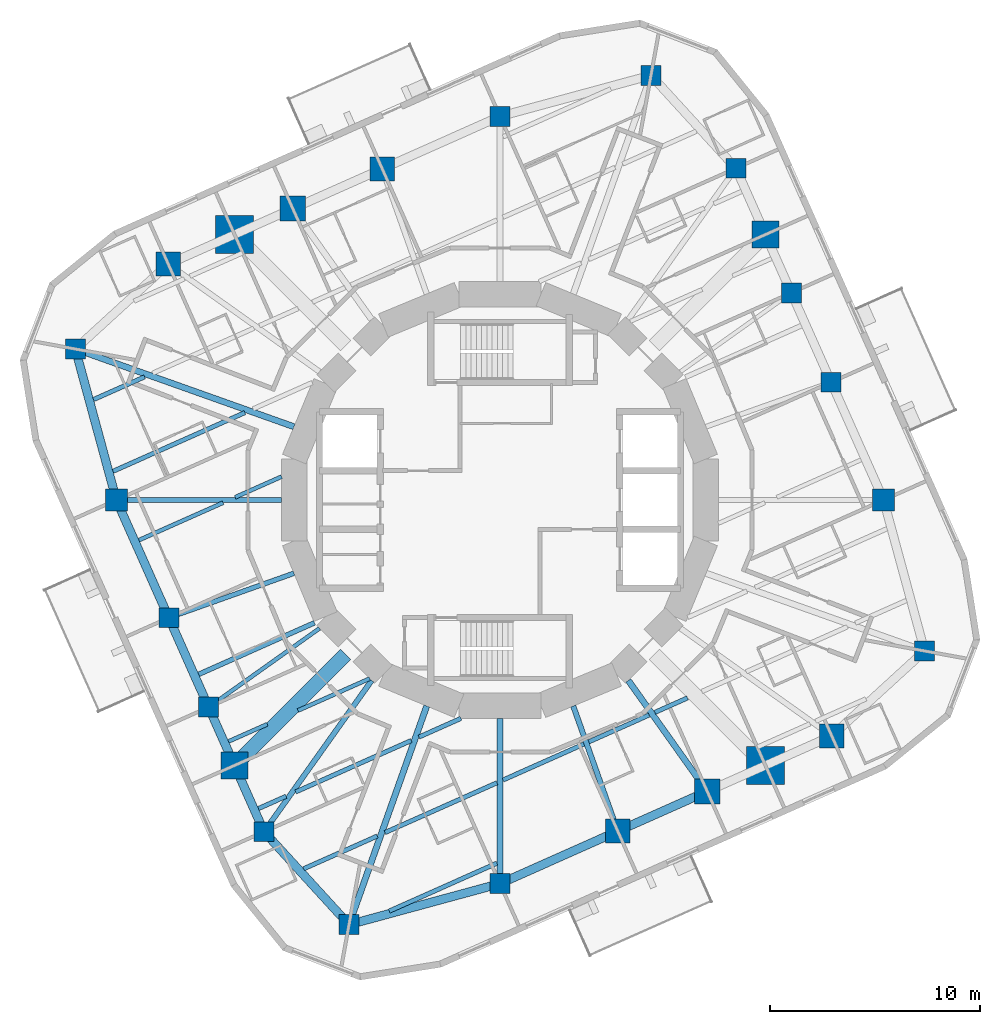
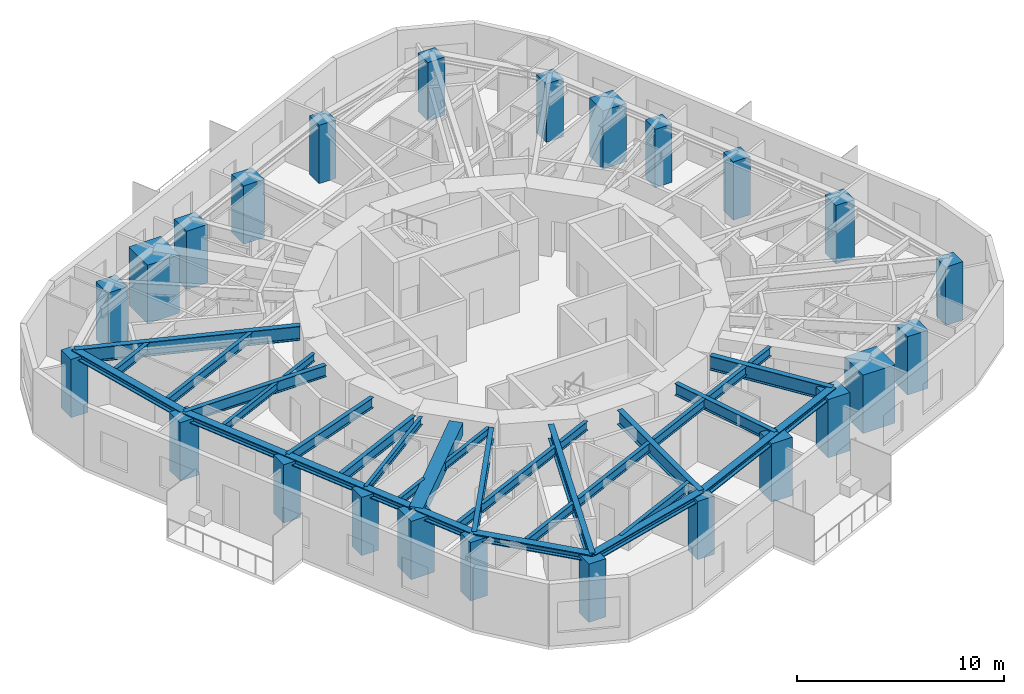
# One storey, part 1 of 12: 25 beams, 24 columns, 10 members.
"""IFC4 building model written with IfcOpenShell, lengths in metres."""

from ifc_helpers import new_model, si_unit, direction, frame, origin, origin_2d, place, context, subcontext, project, spatial, rectangle, hollow_rectangle, i_section, extrude, material, material_profile, profile_set, type_object, element, save


model = new_model("IFC4")

# Units and contexts
model_context = context("Model", 3, precision=1e-05, world=origin(), true_north=direction((0.0, 1.0)))
body_context = subcontext(model_context, "Body", "Model", "MODEL_VIEW")
ifc_project = project(units=[si_unit("LENGTHUNIT", "METRE"), si_unit("AREAUNIT", "SQUARE_METRE"), si_unit("VOLUMEUNIT", "CUBIC_METRE"), si_unit("PLANEANGLEUNIT", "RADIAN"), si_unit("MASSUNIT", "GRAM", prefix="KILO")], contexts=[model_context])

# Site, building, storey
site_placement = place(None, origin())
site = spatial("IfcSite", under=ifc_project, at=site_placement, CompositionType="ELEMENT")
building_placement = place(site_placement, origin())
building = spatial("IfcBuilding", under=site, at=building_placement, Name="Nakasero Lantern House", CompositionType="ELEMENT")
storey_placement = place(building_placement, frame((0.0, 0.0, 213.25)))
storey = spatial("IfcBuildingStorey", under=building, at=storey_placement, Name="L52", CompositionType="ELEMENT", Elevation=213.25)

# Columns
ifc_material_1 = material(Name="Concrete C45/55", Category="concrete")
ifc_material_profile_1 = material_profile(ifc_material_1, rectangle(XDim=1.300048828125, YDim=1.300048828125, at=origin_2d()), Name="RC 1300x1300")
ifc_profile_set_1 = profile_set([ifc_material_profile_1], Name="Concrete C45/55")
column_type_1 = type_object("IfcColumnType", Name="Mega column RC 1300x1300 C45/55", PredefinedType="COLUMN", material=ifc_profile_set_1)
for number, where, z_axis, x_axis, name in (
    (1, (12.64892578125, 12.64892578125, 0.0), (0.0, 0.0, 1.0), (1.0, 0.0, 0.0), "Column B5-C06 L52"),
    (2, (-12.64892578125, -12.64892578125, 0.0), (0.0, 0.0, 1.0), (1.0, 0.0, 0.0), "Column B5-C18 L52"),
):
    element("IfcColumn", number, at=place(storey_placement, frame(where, z_axis=z_axis, x_axis=x_axis)), inside=storey, type_object=column_type_1, Name=name, PredefinedType="COLUMN", context=body_context, shape_type="SweptSolid", body=[
        extrude(rectangle(XDim=1.300048828125, YDim=1.300048828125, at=origin_2d()), origin(), (0.0, 0.0, 1.0), 3.4404296875),
    ])
ifc_material_2 = material(Name="Concrete C45/55", Category="concrete")
ifc_material_profile_2 = material_profile(ifc_material_2, rectangle(XDim=1.800048828125, YDim=1.800048828125, at=origin_2d()), Name="RC 1800x1800")
ifc_profile_set_2 = profile_set([ifc_material_profile_2], Name="Concrete C45/55")
column_type_2 = type_object("IfcColumnType", Name="Mega column RC 1800x1800 C45/55", PredefinedType="COLUMN", material=ifc_profile_set_2)
for number, where, z_axis, x_axis, name in (
    (3, (-12.64892578125, 12.64892578125, 0.0), (0.0, 0.0, 1.0), (1.0, 0.0, 0.0), "Column B5-C12 L52"),
    (4, (12.64892578125, -12.64892578125, 0.0), (0.0, 0.0, 1.0), (1.0, 0.0, 0.0), "Column B5-C24 L52"),
):
    element("IfcColumn", number, at=place(storey_placement, frame(where, z_axis=z_axis, x_axis=x_axis)), inside=storey, type_object=column_type_2, Name=name, PredefinedType="COLUMN", context=body_context, shape_type="SweptSolid", body=[
        extrude(rectangle(XDim=1.800048828125, YDim=1.800048828125, at=origin_2d()), origin(), (0.0, 0.0, 1.0), 3.4404296875),
    ])
ifc_material_3 = material(Name="Concrete C45/55", Category="concrete")
ifc_material_profile_3 = material_profile(ifc_material_3, rectangle(XDim=1.050048828125, YDim=1.050048828125, at=origin_2d()), Name="RC 1050x1050")
ifc_profile_set_3 = profile_set([ifc_material_profile_3], Name="Concrete C45/55")
column_type_3 = type_object("IfcColumnType", Name="Ring column RC 1050x1050 C45/55", PredefinedType="COLUMN", material=ifc_profile_set_3)
for number, where, z_axis, x_axis, name in (
    (5, (18.280517578125, 0.0, 0.0), (0.0, 0.0, 1.0), (1.0, 0.0, 0.0), "Column B5-C03 L52"),
    (6, (-18.280517578125, 0.0, 0.0), (0.0, 0.0, 1.0), (1.0, 0.0, 0.0), "Column B5-C15 L52"),
):
    element("IfcColumn", number, at=place(storey_placement, frame(where, z_axis=z_axis, x_axis=x_axis)), inside=storey, type_object=column_type_3, Name=name, PredefinedType="COLUMN", context=body_context, shape_type="SweptSolid", body=[
        extrude(rectangle(XDim=1.050048828125, YDim=1.050048828125, at=origin_2d()), origin(), (0.0, 0.0, 1.0), 3.4404296875),
    ])
ifc_material_4 = material(Name="Concrete C45/55", Category="concrete")
ifc_material_profile_4 = material_profile(ifc_material_4, rectangle(XDim=1.14990234375, YDim=1.14990234375, at=origin_2d()), Name="RC 1150x1150")
ifc_profile_set_4 = profile_set([ifc_material_profile_4], Name="Concrete C45/55")
column_type_4 = type_object("IfcColumnType", Name="Ring column RC 1150x1150 C45/55", PredefinedType="COLUMN", material=ifc_profile_set_4)
for number, where, z_axis, x_axis, name in (
    (7, (15.808837890625, -11.241943359375, 0.0), (0.0, 0.0, 1.0), (1.0, 0.0, 0.0), "Column B5-C01 L52"),
    (8, (-5.611328125, 15.781982421875, 0.0), (0.0, 0.0, 1.0), (1.0, 0.0, 0.0), "Column B5-C10 L52"),
    (9, (-15.808837890625, 11.241943359375, 0.0), (0.0, 0.0, 1.0), (1.0, 0.0, 0.0), "Column B5-C13 L52"),
    (10, (5.611328125, -15.781982421875, 0.0), (0.0, 0.0, 1.0), (1.0, 0.0, 0.0), "Column B5-C22 L52"),
):
    element("IfcColumn", number, at=place(storey_placement, frame(where, z_axis=z_axis, x_axis=x_axis)), inside=storey, type_object=column_type_4, Name=name, PredefinedType="COLUMN", context=body_context, shape_type="SweptSolid", body=[
        extrude(rectangle(XDim=1.14990234375, YDim=1.14990234375, at=origin_2d()), origin(), (0.0, 0.0, 1.0), 3.4404296875),
    ])
ifc_material_5 = material(Name="Concrete C45/55", Category="concrete")
ifc_material_profile_5 = material_profile(ifc_material_5, rectangle(XDim=1.199951171875, YDim=1.199951171875, at=origin_2d()), Name="RC 1200x1200")
ifc_profile_set_5 = profile_set([ifc_material_profile_5], Name="Concrete C45/55")
column_type_5 = type_object("IfcColumnType", Name="Ring column RC 1200x1200 C45/55", PredefinedType="COLUMN", material=ifc_profile_set_5)
for number, where, z_axis, x_axis, name in (
    (11, (-9.87353515625, 13.884521484375, 0.0), (0.0, 0.0, 1.0), (1.0, 0.0, 0.0), "Column B5-C11 L52"),
    (12, (9.87353515625, -13.884521484375, 0.0), (0.0, 0.0, 1.0), (1.0, 0.0, 0.0), "Column B5-C23 L52"),
):
    element("IfcColumn", number, at=place(storey_placement, frame(where, z_axis=z_axis, x_axis=x_axis)), inside=storey, type_object=column_type_5, Name=name, PredefinedType="COLUMN", context=body_context, shape_type="SweptSolid", body=[
        extrude(rectangle(XDim=1.199951171875, YDim=1.199951171875, at=origin_2d()), origin(), (0.0, 0.0, 1.0), 3.4404296875),
    ])
ifc_material_6 = material(Name="Concrete C45/55", Category="concrete")
ifc_material_profile_6 = material_profile(ifc_material_6, rectangle(XDim=0.949951171875, YDim=0.949951171875, at=origin_2d()), Name="RC 950x950")
ifc_profile_set_6 = profile_set([ifc_material_profile_6], Name="Concrete C45/55")
column_type_6 = type_object("IfcColumnType", Name="Ring column RC 950x950 C45/55", PredefinedType="COLUMN", material=ifc_profile_set_6)
for number, where, z_axis, x_axis, name in (
    (13, (20.2353515625, -7.19482421875, 0.0), (0.0, 0.0, 1.0), (1.0, 0.0, 0.0), "Column B5-C02 L52"),
    (14, (15.781982421875, 5.611328125, 0.0), (0.0, 0.0, 1.0), (1.0, 0.0, 0.0), "Column B5-C04 L52"),
    (15, (13.884521484375, 9.87353515625, 0.0), (0.0, 0.0, 1.0), (1.0, 0.0, 0.0), "Column B5-C05 L52"),
    (16, (11.241943359375, 15.808837890625, 0.0), (0.0, 0.0, 1.0), (1.0, 0.0, 0.0), "Column B5-C07 L52"),
    (17, (7.19482421875, 20.2353515625, 0.0), (0.0, 0.0, 1.0), (1.0, 0.0, 0.0), "Column B5-C08 L52"),
    (18, (0.0, 18.280517578125, 0.0), (0.0, 0.0, 1.0), (1.0, 0.0, 0.0), "Column B5-C09 L52"),
    (19, (-20.2353515625, 7.19482421875, 0.0), (0.0, 0.0, 1.0), (1.0, 0.0, 0.0), "Column B5-C14 L52"),
    (20, (-15.781982421875, -5.611328125, 0.0), (0.0, 0.0, 1.0), (1.0, 0.0, 0.0), "Column B5-C16 L52"),
    (21, (-13.884521484375, -9.87353515625, 0.0), (0.0, 0.0, 1.0), (1.0, 0.0, 0.0), "Column B5-C17 L52"),
    (22, (-11.241943359375, -15.808837890625, 0.0), (0.0, 0.0, 1.0), (1.0, 0.0, 0.0), "Column B5-C19 L52"),
    (23, (-7.19482421875, -20.2353515625, 0.0), (0.0, 0.0, 1.0), (1.0, 0.0, 0.0), "Column B5-C20 L52"),
    (24, (0.0, -18.280517578125, 0.0), (0.0, 0.0, 1.0), (1.0, 0.0, 0.0), "Column B5-C21 L52"),
):
    element("IfcColumn", number, at=place(storey_placement, frame(where, z_axis=z_axis, x_axis=x_axis)), inside=storey, type_object=column_type_6, Name=name, PredefinedType="COLUMN", context=body_context, shape_type="SweptSolid", body=[
        extrude(rectangle(XDim=0.949951171875, YDim=0.949951171875, at=origin_2d()), origin(), (0.0, 0.0, 1.0), 3.4404296875),
    ])

# Members
ifc_material_7 = material(Name="Steel S355", Category="steel")
ifc_material_profile_7 = material_profile(ifc_material_7, i_section(OverallWidth=0.406982421875, OverallDepth=0.4189453125, WebThickness=0.030517578125, FlangeThickness=0.04931640625, FilletRadius=0.01513671875, at=origin_2d()), Name="UC 356x406x393")
ifc_profile_set_7 = profile_set([ifc_material_profile_7], Name="Steel S355")
member_type_1 = type_object("IfcMemberType", Name="Belt truss chord UC 356x406x393", PredefinedType="CHORD", material=ifc_profile_set_7)
member_1_placement = place(storey_placement, frame((-20.2353515625, 7.19482421875, 3.4404296875), z_axis=(0.26219461312, -0.965015017941, 0.0), x_axis=(0.965015017941, 0.26219461312, 0.0)))
element("IfcMember", 25, at=member_1_placement, inside=storey, type_object=member_type_1, Name="Belt truss bottom chord T5 B5-C14", PredefinedType="CHORD", context=body_context, shape_type="SweptSolid", body=[
    extrude(i_section(OverallWidth=0.406982421875, OverallDepth=0.4189453125, WebThickness=0.030517578125, FlangeThickness=0.04931640625, FilletRadius=0.01513671875, at=origin_2d()), origin(), (0.0, 0.0, 1.0), 7.45556640625),
])
member_2_placement = place(storey_placement, frame((-18.280517578125, 0.0, 3.4404296875), z_axis=(0.406765299215, -0.913532698569, 0.0), x_axis=(0.913532698569, 0.406765299215, 0.0)))
element("IfcMember", 26, at=member_2_placement, inside=storey, type_object=member_type_1, Name="Belt truss bottom chord T5 B5-C15", PredefinedType="CHORD", context=body_context, shape_type="SweptSolid", body=[
    extrude(i_section(OverallWidth=0.406982421875, OverallDepth=0.4189453125, WebThickness=0.030517578125, FlangeThickness=0.04931640625, FilletRadius=0.01513671875, at=origin_2d()), origin(), (0.0, 0.0, 1.0), 6.142333984375),
])
member_3_placement = place(storey_placement, frame((-15.781982421875, -5.611328125, 3.4404296875), z_axis=(0.406701600856, -0.913561058639, 0.0), x_axis=(0.913561058639, 0.406701600856, 0.0)))
element("IfcMember", 27, at=member_3_placement, inside=storey, type_object=member_type_1, Name="Belt truss bottom chord T5 B5-C16", PredefinedType="CHORD", context=body_context, shape_type="SweptSolid", body=[
    extrude(i_section(OverallWidth=0.406982421875, OverallDepth=0.4189453125, WebThickness=0.030517578125, FlangeThickness=0.04931640625, FilletRadius=0.01513671875, at=origin_2d()), origin(), (0.0, 0.0, 1.0), 4.66552734375),
])
member_4_placement = place(storey_placement, frame((-13.884521484375, -9.87353515625, 3.4404296875), z_axis=(0.40671251915, -0.913556197925, 0.0), x_axis=(0.913556197925, 0.40671251915, 0.0)))
element("IfcMember", 28, at=member_4_placement, inside=storey, type_object=member_type_1, Name="Belt truss bottom chord T5 B5-C17", PredefinedType="CHORD", context=body_context, shape_type="SweptSolid", body=[
    extrude(i_section(OverallWidth=0.406982421875, OverallDepth=0.4189453125, WebThickness=0.030517578125, FlangeThickness=0.04931640625, FilletRadius=0.01513671875, at=origin_2d()), origin(), (0.0, 0.0, 1.0), 3.0380859375),
])
member_5_placement = place(storey_placement, frame((-12.64892578125, -12.64892578125, 3.4404296875), z_axis=(0.406760506795, -0.913534832457, 0.0), x_axis=(0.913534832457, 0.406760506795, 0.0)))
element("IfcMember", 29, at=member_5_placement, inside=storey, type_object=member_type_1, Name="Belt truss bottom chord T5 B5-C18", PredefinedType="CHORD", context=body_context, shape_type="SweptSolid", body=[
    extrude(i_section(OverallWidth=0.406982421875, OverallDepth=0.4189453125, WebThickness=0.030517578125, FlangeThickness=0.04931640625, FilletRadius=0.01513671875, at=origin_2d()), origin(), (0.0, 0.0, 1.0), 3.458984375),
])
member_6_placement = place(storey_placement, frame((-11.241943359375, -15.808837890625, 3.4404296875), z_axis=(0.674771099966, -0.73802707447, 0.0), x_axis=(0.73802707447, 0.674771099966, 0.0)))
element("IfcMember", 30, at=member_6_placement, inside=storey, type_object=member_type_1, Name="Belt truss bottom chord T5 B5-C19", PredefinedType="CHORD", context=body_context, shape_type="SweptSolid", body=[
    extrude(i_section(OverallWidth=0.406982421875, OverallDepth=0.4189453125, WebThickness=0.030517578125, FlangeThickness=0.04931640625, FilletRadius=0.01513671875, at=origin_2d()), origin(), (0.0, 0.0, 1.0), 5.997802734375),
])
member_7_placement = place(storey_placement, frame((-7.19482421875, -20.2353515625, 3.4404296875), z_axis=(0.965015017941, 0.26219461312, 0.0), x_axis=(-0.26219461312, 0.965015017941, 0.0)))
element("IfcMember", 31, at=member_7_placement, inside=storey, type_object=member_type_1, Name="Belt truss bottom chord T5 B5-C20", PredefinedType="CHORD", context=body_context, shape_type="SweptSolid", body=[
    extrude(i_section(OverallWidth=0.406982421875, OverallDepth=0.4189453125, WebThickness=0.030517578125, FlangeThickness=0.04931640625, FilletRadius=0.01513671875, at=origin_2d()), origin(), (0.0, 0.0, 1.0), 7.45556640625),
])
member_8_placement = place(storey_placement, frame((0.0, -18.280517578125, 3.4404296875), z_axis=(0.913532698569, 0.406765299215, 0.0), x_axis=(-0.406765299215, 0.913532698569, 0.0)))
element("IfcMember", 32, at=member_8_placement, inside=storey, type_object=member_type_1, Name="Belt truss bottom chord T5 B5-C21", PredefinedType="CHORD", context=body_context, shape_type="SweptSolid", body=[
    extrude(i_section(OverallWidth=0.406982421875, OverallDepth=0.4189453125, WebThickness=0.030517578125, FlangeThickness=0.04931640625, FilletRadius=0.01513671875, at=origin_2d()), origin(), (0.0, 0.0, 1.0), 6.142333984375),
])
member_9_placement = place(storey_placement, frame((5.611328125, -15.781982421875, 3.4404296875), z_axis=(0.913561058639, 0.406701600856, 0.0), x_axis=(-0.406701600856, 0.913561058639, 0.0)))
element("IfcMember", 33, at=member_9_placement, inside=storey, type_object=member_type_1, Name="Belt truss bottom chord T5 B5-C22", PredefinedType="CHORD", context=body_context, shape_type="SweptSolid", body=[
    extrude(i_section(OverallWidth=0.406982421875, OverallDepth=0.4189453125, WebThickness=0.030517578125, FlangeThickness=0.04931640625, FilletRadius=0.01513671875, at=origin_2d()), origin(), (0.0, 0.0, 1.0), 4.66552734375),
])

# Beams
ifc_material_8 = material(Name="Steel S355", Category="steel")
ifc_material_profile_8 = material_profile(ifc_material_8, i_section(OverallWidth=0.19140625, OverallDepth=0.4599609375, WebThickness=0.010009765625, FlangeThickness=0.01611328125, FilletRadius=0.01025390625, at=origin_2d()), Name="UB 457x191x82")
ifc_profile_set_8 = profile_set([ifc_material_profile_8], Name="Steel S355")
beam_type_1 = type_object("IfcBeamType", Name="Infill beam UB 457x191x82", PredefinedType="JOIST", material=ifc_profile_set_8)
beam_1_placement = place(storey_placement, frame((-12.934814453125, -11.505859375, 3.419921875), z_axis=(0.913527183156, 0.406777685764, 0.0), x_axis=(-0.406777685764, 0.913527183156, 0.0)))
element("IfcBeam", 34, at=beam_1_placement, inside=storey, type_object=beam_type_1, Name="Infill beam L53 06.1", PredefinedType="JOIST", context=body_context, shape_type="SweptSolid", body=[
    extrude(i_section(OverallWidth=0.19140625, OverallDepth=0.4599609375, WebThickness=0.010009765625, FlangeThickness=0.01611328125, FilletRadius=0.01025390625, at=origin_2d()), origin(), (0.0, 0.0, 1.0), 2.01953125),
])
beam_2_placement = place(storey_placement, frame((-9.628173828125, -10.033447265625, 3.419921875), z_axis=(0.913550513402, 0.406725287464, 0.0), x_axis=(-0.406725287464, 0.913550513402, 0.0)))
element("IfcBeam", 35, at=beam_2_placement, inside=storey, type_object=beam_type_1, Name="Infill beam L53 06.2", PredefinedType="JOIST", context=body_context, shape_type="SweptSolid", body=[
    extrude(i_section(OverallWidth=0.19140625, OverallDepth=0.4599609375, WebThickness=0.010009765625, FlangeThickness=0.01611328125, FilletRadius=0.01025390625, at=origin_2d()), origin(), (0.0, 0.0, 1.0), 3.743896484375),
])
beam_3_placement = place(storey_placement, frame((-17.20556640625, -1.91357421875, 3.419921875), z_axis=(0.913550081481, 0.406726257606, 0.0), x_axis=(-0.406726257606, 0.913550081481, 0.0)))
element("IfcBeam", 36, at=beam_3_placement, inside=storey, type_object=beam_type_1, Name="Infill beam L53 09.1", PredefinedType="JOIST", context=body_context, shape_type="SweptSolid", body=[
    extrude(i_section(OverallWidth=0.19140625, OverallDepth=0.4599609375, WebThickness=0.010009765625, FlangeThickness=0.01611328125, FilletRadius=0.01025390625, at=origin_2d()), origin(), (0.0, 0.0, 1.0), 4.392578125),
])
beam_4_placement = place(storey_placement, frame((-12.622802734375, 0.126953125, 3.419921875), z_axis=(0.913549746855, 0.40672700921, 0.0), x_axis=(-0.40672700921, 0.913549746855, 0.0)))
element("IfcBeam", 37, at=beam_4_placement, inside=storey, type_object=beam_type_1, Name="Infill beam L53 09.2", PredefinedType="JOIST", context=body_context, shape_type="SweptSolid", body=[
    extrude(i_section(OverallWidth=0.19140625, OverallDepth=0.4599609375, WebThickness=0.010009765625, FlangeThickness=0.01611328125, FilletRadius=0.01025390625, at=origin_2d()), origin(), (0.0, 0.0, 1.0), 2.42431640625),
])
ifc_material_9 = material(Name="Steel S355", Category="steel")
ifc_material_profile_9 = material_profile(ifc_material_9, i_section(OverallWidth=0.2099609375, OverallDepth=0.53662109375, WebThickness=0.0107421875, FlangeThickness=0.017333984375, FilletRadius=0.0126953125, at=origin_2d()), Name="UB 533x210x101")
ifc_profile_set_9 = profile_set([ifc_material_profile_9], Name="Steel S355")
beam_type_2 = type_object("IfcBeamType", Name="Infill beam UB 533x210x101", PredefinedType="JOIST", material=ifc_profile_set_9)
beam_5_placement = place(storey_placement, frame((-5.278564453125, -19.5908203125, 3.381591796875), z_axis=(0.913538957038, 0.406751243358, 0.0), x_axis=(-0.406751243358, 0.913538957038, 0.0)))
element("IfcBeam", 38, at=beam_5_placement, inside=storey, type_object=beam_type_2, Name="Infill beam L53 03.1", PredefinedType="JOIST", context=body_context, shape_type="SweptSolid", body=[
    extrude(i_section(OverallWidth=0.2099609375, OverallDepth=0.53662109375, WebThickness=0.0107421875, FlangeThickness=0.017333984375, FilletRadius=0.0126953125, at=origin_2d()), origin(), (0.0, 0.0, 1.0), 5.6181640625),
])
beam_6_placement = place(storey_placement, frame((-9.352783203125, -17.573486328125, 3.381591796875), z_axis=(0.913543614975, 0.406740781751, 0.0), x_axis=(-0.406740781751, 0.913543614975, 0.0)))
element("IfcBeam", 39, at=beam_6_placement, inside=storey, type_object=beam_type_2, Name="Infill beam L53 04.1", PredefinedType="JOIST", context=body_context, shape_type="SweptSolid", body=[
    extrude(i_section(OverallWidth=0.2099609375, OverallDepth=0.53662109375, WebThickness=0.0107421875, FlangeThickness=0.017333984375, FilletRadius=0.0126953125, at=origin_2d()), origin(), (0.0, 0.0, 1.0), 3.83544921875),
])
beam_7_placement = place(storey_placement, frame((-5.47998046875, -15.84912109375, 3.381591796875), z_axis=(0.913544076166, 0.406739745909, 0.0), x_axis=(-0.406739745909, 0.913544076166, 0.0)))
element("IfcBeam", 40, at=beam_7_placement, inside=storey, type_object=beam_type_2, Name="Infill beam L53 04.2", PredefinedType="JOIST", context=body_context, shape_type="SweptSolid", body=[
    extrude(i_section(OverallWidth=0.2099609375, OverallDepth=0.53662109375, WebThickness=0.0107421875, FlangeThickness=0.017333984375, FilletRadius=0.0126953125, at=origin_2d()), origin(), (0.0, 0.0, 1.0), 5.838623046875),
])
beam_8_placement = place(storey_placement, frame((0.146240234375, -13.34423828125, 3.381591796875), z_axis=(0.913548767635, 0.406729208631, 0.0), x_axis=(-0.406729208631, 0.913548767635, 0.0)))
element("IfcBeam", 41, at=beam_8_placement, inside=storey, type_object=beam_type_2, Name="Infill beam L53 04.3", PredefinedType="JOIST", context=body_context, shape_type="SweptSolid", body=[
    extrude(i_section(OverallWidth=0.2099609375, OverallDepth=0.53662109375, WebThickness=0.0107421875, FlangeThickness=0.017333984375, FilletRadius=0.0126953125, at=origin_2d()), origin(), (0.0, 0.0, 1.0), 4.21728515625),
])
beam_9_placement = place(storey_placement, frame((4.2333984375, -11.5244140625, 3.381591796875), z_axis=(0.913545628997, 0.406736258207, 0.0), x_axis=(-0.406736258207, 0.913545628997, 0.0)))
element("IfcBeam", 42, at=beam_9_placement, inside=storey, type_object=beam_type_2, Name="Infill beam L53 04.4", PredefinedType="JOIST", context=body_context, shape_type="SweptSolid", body=[
    extrude(i_section(OverallWidth=0.2099609375, OverallDepth=0.53662109375, WebThickness=0.0107421875, FlangeThickness=0.017333984375, FilletRadius=0.0126953125, at=origin_2d()), origin(), (0.0, 0.0, 1.0), 3.144775390625),
])
beam_10_placement = place(storey_placement, frame((7.378662109375, -10.1240234375, 3.381591796875), z_axis=(0.913581037191, 0.406656720694, 0.0), x_axis=(-0.406656720694, 0.913581037191, 0.0)))
element("IfcBeam", 43, at=beam_10_placement, inside=storey, type_object=beam_type_2, Name="Infill beam L53 04.5", PredefinedType="JOIST", context=body_context, shape_type="SweptSolid", body=[
    extrude(i_section(OverallWidth=0.2099609375, OverallDepth=0.53662109375, WebThickness=0.0107421875, FlangeThickness=0.017333984375, FilletRadius=0.0126953125, at=origin_2d()), origin(), (0.0, 0.0, 1.0), 1.704345703125),
])
beam_11_placement = place(storey_placement, frame((-11.511474609375, -14.703369140625, 3.381591796875), z_axis=(0.913546008639, 0.406735405515, 0.0), x_axis=(-0.406735405515, 0.913546008639, 0.0)))
element("IfcBeam", 44, at=beam_11_placement, inside=storey, type_object=beam_type_2, Name="Infill beam L53 05.1", PredefinedType="JOIST", context=body_context, shape_type="SweptSolid", body=[
    extrude(i_section(OverallWidth=0.2099609375, OverallDepth=0.53662109375, WebThickness=0.0107421875, FlangeThickness=0.017333984375, FilletRadius=0.0126953125, at=origin_2d()), origin(), (0.0, 0.0, 1.0), 1.44189453125),
])
beam_12_placement = place(storey_placement, frame((-9.73876953125, -13.9140625, 3.381591796875), z_axis=(0.913549212853, 0.40672820863, 0.0), x_axis=(-0.40672820863, 0.913549212853, 0.0)))
element("IfcBeam", 45, at=beam_12_placement, inside=storey, type_object=beam_type_2, Name="Infill beam L53 05.2", PredefinedType="JOIST", context=body_context, shape_type="SweptSolid", body=[
    extrude(i_section(OverallWidth=0.2099609375, OverallDepth=0.53662109375, WebThickness=0.0107421875, FlangeThickness=0.017333984375, FilletRadius=0.0126953125, at=origin_2d()), origin(), (0.0, 0.0, 1.0), 6.029541015625),
])
beam_13_placement = place(storey_placement, frame((-3.861572265625, -11.29736328125, 3.381591796875), z_axis=(0.913558164673, 0.406708101418, 0.0), x_axis=(-0.406708101418, 0.913558164673, 0.0)))
element("IfcBeam", 46, at=beam_13_placement, inside=storey, type_object=beam_type_2, Name="Infill beam L53 05.3", PredefinedType="JOIST", context=body_context, shape_type="SweptSolid", body=[
    extrude(i_section(OverallWidth=0.2099609375, OverallDepth=0.53662109375, WebThickness=0.0107421875, FlangeThickness=0.017333984375, FilletRadius=0.0126953125, at=origin_2d()), origin(), (0.0, 0.0, 1.0), 2.186767578125),
])
beam_14_placement = place(storey_placement, frame((-18.441162109375, 1.367431640625, 3.381591796875), z_axis=(0.91354069408, 0.406747342044, 0.0), x_axis=(-0.406747342044, 0.91354069408, 0.0)))
element("IfcBeam", 47, at=beam_14_placement, inside=storey, type_object=beam_type_2, Name="Infill beam L53 10.1", PredefinedType="JOIST", context=body_context, shape_type="SweptSolid", body=[
    extrude(i_section(OverallWidth=0.2099609375, OverallDepth=0.53662109375, WebThickness=0.0107421875, FlangeThickness=0.017333984375, FilletRadius=0.0126953125, at=origin_2d()), origin(), (0.0, 0.0, 1.0), 6.881591796875),
])
beam_15_placement = place(storey_placement, frame((-19.369873046875, 4.785400390625, 3.381591796875), z_axis=(0.913550299254, 0.406725768464, 0.0), x_axis=(-0.406725768464, 0.913550299254, 0.0)))
element("IfcBeam", 48, at=beam_15_placement, inside=storey, type_object=beam_type_2, Name="Infill beam L53 11.1", PredefinedType="JOIST", context=body_context, shape_type="SweptSolid", body=[
    extrude(i_section(OverallWidth=0.2099609375, OverallDepth=0.53662109375, WebThickness=0.0107421875, FlangeThickness=0.017333984375, FilletRadius=0.0126953125, at=origin_2d()), origin(), (0.0, 0.0, 1.0), 2.660888671875),
])
ifc_material_10 = material(Name="Steel S355", Category="steel")
ifc_material_profile_10 = material_profile(ifc_material_10, i_section(OverallWidth=0.22900390625, OverallDepth=0.6123046875, WebThickness=0.011962890625, FlangeThickness=0.01953125, FilletRadius=0.0126953125, at=origin_2d()), Name="UB 610x229x125")
ifc_profile_set_10 = profile_set([ifc_material_profile_10], Name="Steel S355")
beam_type_3 = type_object("IfcBeamType", Name="Infill beam UB 610x229x125", PredefinedType="JOIST", material=ifc_profile_set_10)
beam_16_placement = place(storey_placement, frame((-14.3583984375, -8.308349609375, 3.343994140625), z_axis=(0.913549630953, 0.406727269538, 0.0), x_axis=(-0.406727269538, 0.913549630953, 0.0)))
element("IfcBeam", 49, at=beam_16_placement, inside=storey, type_object=beam_type_3, Name="Infill beam L53 07.1", PredefinedType="JOIST", context=body_context, shape_type="SweptSolid", body=[
    extrude(i_section(OverallWidth=0.22900390625, OverallDepth=0.6123046875, WebThickness=0.011962890625, FlangeThickness=0.01953125, FilletRadius=0.0126953125, at=origin_2d()), origin(), (0.0, 0.0, 1.0), 6.0390625),
])

# Member
ifc_material_11 = material(Name="Steel S355", Category="steel")
ifc_material_profile_11 = material_profile(ifc_material_11, hollow_rectangle(XDim=0.699951171875, YDim=0.699951171875, WallThickness=0.050048828125, at=origin_2d()), Name="BOX 700x700x50")
ifc_profile_set_11 = profile_set([ifc_material_profile_11], Name="Steel S355")
member_type_2 = type_object("IfcMemberType", Name="Outrigger chord BOX 700x700x50", PredefinedType="CHORD", material=ifc_profile_set_11)
member_10_placement = place(storey_placement, frame((-12.64892578125, -12.64892578125, 3.300048828125), z_axis=(0.707106781187, 0.707106781187, 0.0), x_axis=(-0.707106781187, 0.707106781187, 0.0)))
element("IfcMember", 50, at=member_10_placement, inside=storey, type_object=member_type_2, Name="Outrigger chord L53 B5-C18", PredefinedType="CHORD", context=body_context, shape_type="SweptSolid", body=[
    extrude(hollow_rectangle(XDim=0.699951171875, YDim=0.699951171875, WallThickness=0.050048828125, at=origin_2d()), origin(), (0.0, 0.0, 1.0), 7.48046875),
])

# Beams
ifc_material_12 = material(Name="Steel S355", Category="steel")
ifc_material_profile_12 = material_profile(ifc_material_12, i_section(OverallWidth=0.18994140625, OverallDepth=0.453369140625, WebThickness=0.008544921875, FlangeThickness=0.0126953125, FilletRadius=0.01025390625, at=origin_2d()), Name="UB 457x191x67")
ifc_profile_set_12 = profile_set([ifc_material_profile_12], Name="Steel S355")
beam_type_4 = type_object("IfcBeamType", Name="Primary beam UB 457x191x67, span 6 to 9 m", PredefinedType="BEAM", material=ifc_profile_set_12)
beam_17_placement = place(storey_placement, frame((-13.884521484375, -9.87353515625, 3.42333984375), z_axis=(0.8149430702, 0.57954101868, 0.0), x_axis=(-0.57954101868, 0.8149430702, 0.0)))
element("IfcBeam", 51, at=beam_17_placement, inside=storey, type_object=beam_type_4, Name="Primary beam L53 B5-C17", PredefinedType="BEAM", context=body_context, shape_type="SweptSolid", body=[
    extrude(i_section(OverallWidth=0.18994140625, OverallDepth=0.453369140625, WebThickness=0.008544921875, FlangeThickness=0.0126953125, FilletRadius=0.01025390625, at=origin_2d()), origin(), (0.0, 0.0, 1.0), 6.48193359375),
])
ifc_material_13 = material(Name="Steel S355", Category="steel")
ifc_material_profile_13 = material_profile(ifc_material_13, i_section(OverallWidth=0.22900390625, OverallDepth=0.6123046875, WebThickness=0.011962890625, FlangeThickness=0.01953125, FilletRadius=0.0126953125, at=origin_2d()), Name="UB 610x229x125")
ifc_profile_set_13 = profile_set([ifc_material_profile_13], Name="Steel S355")
beam_type_5 = type_object("IfcBeamType", Name="Primary beam UB 610x229x125, span 6 to 9 m", PredefinedType="BEAM", material=ifc_profile_set_13)
beam_18_placement = place(storey_placement, frame((-15.781982421875, -5.611328125, 3.343994140625), z_axis=(0.942211442913, 0.335018800731, 0.0), x_axis=(-0.335018800731, 0.942211442913, 0.0)))
element("IfcBeam", 52, at=beam_18_placement, inside=storey, type_object=beam_type_5, Name="Primary beam L53 B5-C16", PredefinedType="BEAM", context=body_context, shape_type="SweptSolid", body=[
    extrude(i_section(OverallWidth=0.22900390625, OverallDepth=0.6123046875, WebThickness=0.011962890625, FlangeThickness=0.01953125, FilletRadius=0.0126953125, at=origin_2d()), origin(), (0.0, 0.0, 1.0), 6.328369140625),
])
ifc_material_14 = material(Name="Steel S355", Category="steel")
ifc_material_profile_14 = material_profile(ifc_material_14, i_section(OverallWidth=0.253662109375, OverallDepth=0.68359375, WebThickness=0.012451171875, FlangeThickness=0.01904296875, FilletRadius=0.01513671875, at=origin_2d()), Name="UB 686x254x140")
ifc_profile_set_14 = profile_set([ifc_material_profile_14], Name="Steel S355")
beam_type_6 = type_object("IfcBeamType", Name="Primary beam UB 686x254x140, span 6 to 9 m", PredefinedType="BEAM", material=ifc_profile_set_14)
beam_19_placement = place(storey_placement, frame((-18.280517578125, 0.0, 3.308349609375), z_axis=(1.0, 0.0, 0.0), x_axis=(0.0, 1.0, 0.0)))
element("IfcBeam", 53, at=beam_19_placement, inside=storey, type_object=beam_type_6, Name="Primary beam L53 B5-C15", PredefinedType="BEAM", context=body_context, shape_type="SweptSolid", body=[
    extrude(i_section(OverallWidth=0.253662109375, OverallDepth=0.68359375, WebThickness=0.012451171875, FlangeThickness=0.01904296875, FilletRadius=0.01513671875, at=origin_2d()), origin(), (0.0, 0.0, 1.0), 7.87255859375),
])
beam_20_placement = place(storey_placement, frame((-11.241943359375, -15.808837890625, 3.308349609375), z_axis=(0.579536824926, 0.814946052543, 0.0), x_axis=(-0.814946052543, 0.579536824926, 0.0)))
element("IfcBeam", 54, at=beam_20_placement, inside=storey, type_object=beam_type_6, Name="Primary beam L53 B5-C19", PredefinedType="BEAM", context=body_context, shape_type="SweptSolid", body=[
    extrude(i_section(OverallWidth=0.253662109375, OverallDepth=0.68359375, WebThickness=0.012451171875, FlangeThickness=0.01904296875, FilletRadius=0.01513671875, at=origin_2d()), origin(), (0.0, 0.0, 1.0), 8.84326171875),
])
ifc_material_15 = material(Name="Steel S355", Category="steel")
ifc_material_profile_15 = material_profile(ifc_material_15, i_section(OverallWidth=0.255859375, OverallDepth=0.69287109375, WebThickness=0.014404296875, FlangeThickness=0.023681640625, FilletRadius=0.01513671875, at=origin_2d()), Name="UB 686x254x170")
ifc_profile_set_15 = profile_set([ifc_material_profile_15], Name="Steel S355")
beam_type_7 = type_object("IfcBeamType", Name="Primary beam UB 686x254x170, span 6 to 9 m", PredefinedType="BEAM", material=ifc_profile_set_15)
beam_21_placement = place(storey_placement, frame((5.611328125, -15.781982421875, 3.303466796875), z_axis=(-0.335018800731, 0.942211442913, 0.0), x_axis=(-0.942211442913, -0.335018800731, 0.0)))
element("IfcBeam", 55, at=beam_21_placement, inside=storey, type_object=beam_type_7, Name="Primary beam L53 B5-C22", PredefinedType="BEAM", context=body_context, shape_type="SweptSolid", body=[
    extrude(i_section(OverallWidth=0.255859375, OverallDepth=0.69287109375, WebThickness=0.014404296875, FlangeThickness=0.023681640625, FilletRadius=0.01513671875, at=origin_2d()), origin(), (0.0, 0.0, 1.0), 6.328369140625),
])
ifc_material_16 = material(Name="Steel S355", Category="steel")
ifc_material_profile_16 = material_profile(ifc_material_16, i_section(OverallWidth=0.29248046875, OverallDepth=0.8408203125, WebThickness=0.0146484375, FlangeThickness=0.02685546875, FilletRadius=0.017822265625, at=origin_2d()), Name="UB 838x292x194")
ifc_profile_set_16 = profile_set([ifc_material_profile_16], Name="Steel S355")
beam_type_8 = type_object("IfcBeamType", Name="Primary beam UB 838x292x194, span 6 to 9 m", PredefinedType="BEAM", material=ifc_profile_set_16)
beam_22_placement = place(storey_placement, frame((0.0, -18.280517578125, 3.229736328125), z_axis=(0.0, 1.0, 0.0), x_axis=(-1.0, 0.0, 0.0)))
element("IfcBeam", 56, at=beam_22_placement, inside=storey, type_object=beam_type_8, Name="Primary beam L53 B5-C21", PredefinedType="BEAM", context=body_context, shape_type="SweptSolid", body=[
    extrude(i_section(OverallWidth=0.29248046875, OverallDepth=0.8408203125, WebThickness=0.0146484375, FlangeThickness=0.02685546875, FilletRadius=0.017822265625, at=origin_2d()), origin(), (0.0, 0.0, 1.0), 7.87255859375),
])
beam_23_placement = place(storey_placement, frame((9.87353515625, -13.884521484375, 3.229736328125), z_axis=(-0.57954101868, 0.8149430702, 0.0), x_axis=(-0.8149430702, -0.57954101868, 0.0)))
element("IfcBeam", 57, at=beam_23_placement, inside=storey, type_object=beam_type_8, Name="Primary beam L53 B5-C23", PredefinedType="BEAM", context=body_context, shape_type="SweptSolid", body=[
    extrude(i_section(OverallWidth=0.29248046875, OverallDepth=0.8408203125, WebThickness=0.0146484375, FlangeThickness=0.02685546875, FilletRadius=0.017822265625, at=origin_2d()), origin(), (0.0, 0.0, 1.0), 6.48193359375),
])
ifc_material_17 = material(Name="Steel S355", Category="steel")
ifc_material_profile_17 = material_profile(ifc_material_17, i_section(OverallWidth=0.29248046875, OverallDepth=0.8408203125, WebThickness=0.0146484375, FlangeThickness=0.02685546875, FilletRadius=0.017822265625, at=origin_2d()), Name="UB 838x292x194")
ifc_profile_set_17 = profile_set([ifc_material_profile_17], Name="Steel S355")
beam_type_9 = type_object("IfcBeamType", Name="Primary beam UB 838x292x194, span 9 to 12 m", PredefinedType="BEAM", material=ifc_profile_set_17)
for number, where, z_axis, x_axis, name in (
    (58, (-20.2353515625, 7.19482421875, 3.229736328125), (0.942210662535, -0.335020995468, 0.0), (0.335020995468, 0.942210662535, 0.0), "Primary beam L53 B5-C14"),
    (59, (-7.19482421875, -20.2353515625, 3.229736328125), (0.335020995468, 0.942210662535, 0.0), (-0.942210662535, 0.335020995468, 0.0), "Primary beam L53 B5-C20"),
):
    element("IfcBeam", number, at=place(storey_placement, frame(where, z_axis=z_axis, x_axis=x_axis)), inside=storey, type_object=beam_type_9, Name=name, PredefinedType="BEAM", context=body_context, shape_type="SweptSolid", body=[
        extrude(i_section(OverallWidth=0.29248046875, OverallDepth=0.8408203125, WebThickness=0.0146484375, FlangeThickness=0.02685546875, FilletRadius=0.017822265625, at=origin_2d()), origin(), (0.0, 0.0, 1.0), 11.054931640625),
    ])

save(model, "model.ifc")
